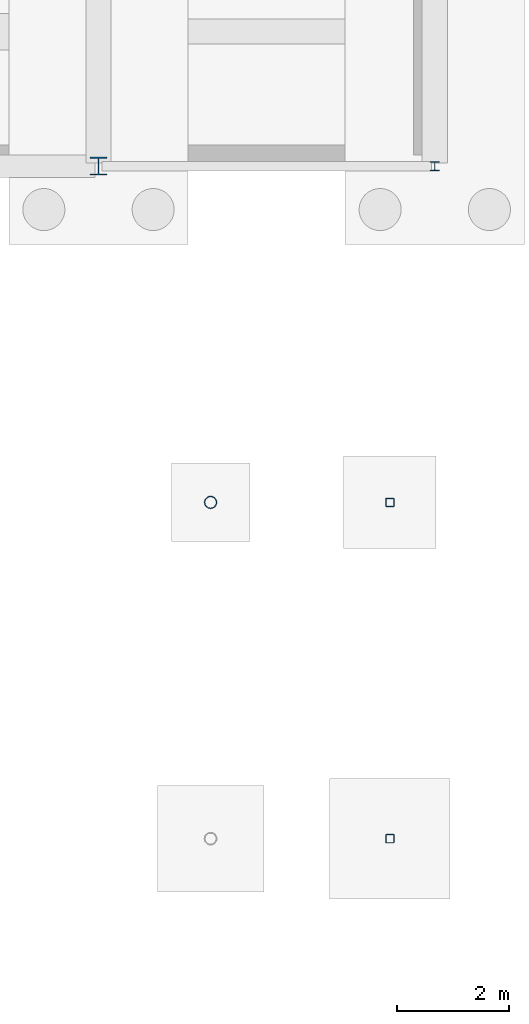
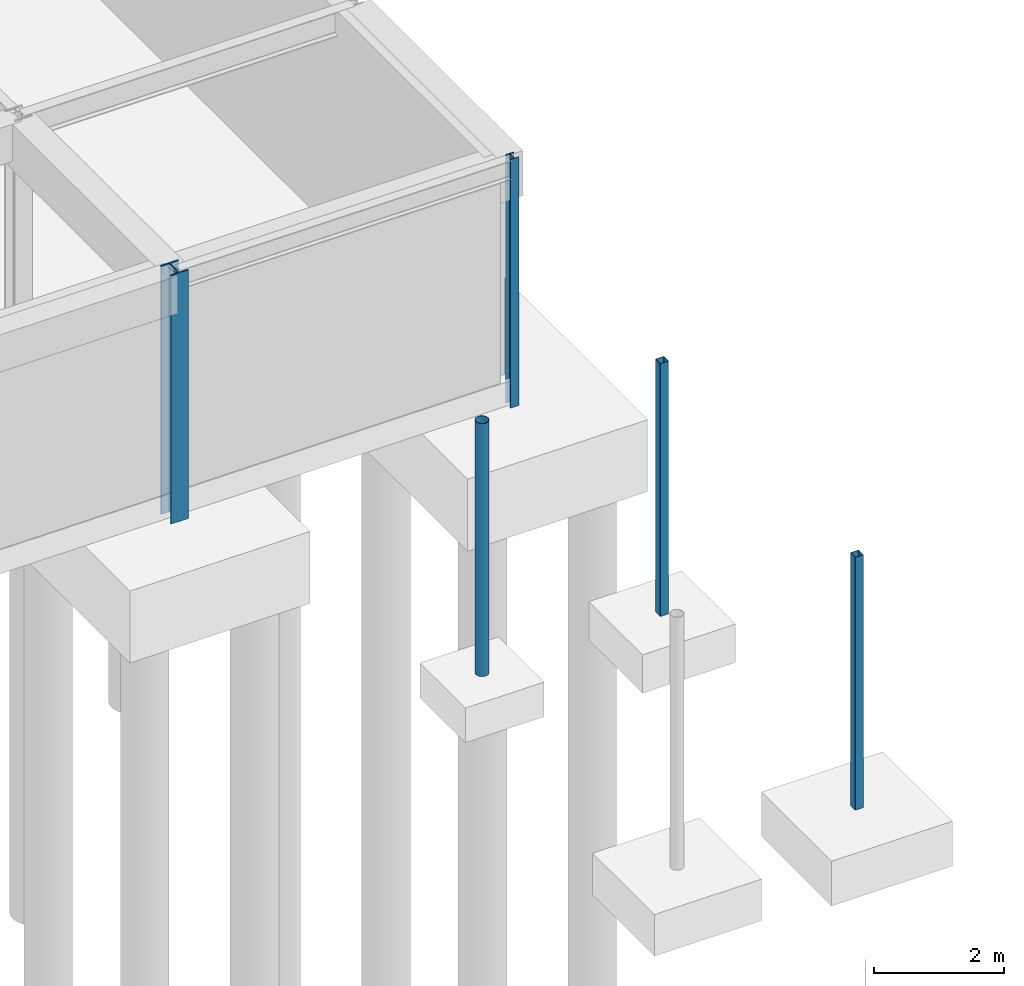
# One storey, part 53 of 75: 5 columns.
"""IFC4 building model written with IfcOpenShell, lengths in metres."""

from ifc_helpers import new_model, si_unit, derived_unit, direction, frame, origin, origin_2d_with_axis, place, context, subcontext, project, spatial, hollow_rectangle, hollow_circle, i_section, extrude, material, material_profile, profile_set, type_object, element, save


model = new_model("IFC4")

# Units and contexts
model_context = context("Model", 3, precision=1e-05, world=origin(), true_north=direction((0.0, 1.0)))
body_context = subcontext(model_context, "Body", "Model", "MODEL_VIEW")
ifc_project = project(units=[si_unit("LENGTHUNIT", "METRE"), si_unit("AREAUNIT", "SQUARE_METRE"), si_unit("VOLUMEUNIT", "CUBIC_METRE"), si_unit("PLANEANGLEUNIT", "RADIAN"), si_unit("MASSUNIT", "GRAM", prefix="KILO"), derived_unit("THERMALTRANSMITTANCEUNIT", [(si_unit("POWERUNIT", "WATT"), 1), (si_unit("LENGTHUNIT", "METRE"), -2), (si_unit("THERMODYNAMICTEMPERATUREUNIT", "KELVIN"), -1)])], contexts=[model_context])

# Site, building, storey
site_placement = place(None, origin())
site = spatial("IfcSite", under=ifc_project, at=site_placement, CompositionType="ELEMENT")
building_placement = place(site_placement, origin())
building = spatial("IfcBuilding", under=site, at=building_placement, Name="Cinnabar Yard Market Hall", CompositionType="ELEMENT")
storey_placement = place(building_placement, frame((0.0, 0.0, -4.5)))
storey = spatial("IfcBuildingStorey", under=building, at=storey_placement, Name="B1", CompositionType="ELEMENT", Elevation=-4.5)

# Columns
ifc_material_1 = material(Name="Spotted-gum glulam-clad steel Grade 350 (350 MPa)", Category="steel")
ifc_material_profile_1 = material_profile(ifc_material_1, hollow_circle(Radius=0.109619140625, WallThickness=0.00830078125, at=origin_2d_with_axis()), Name="219.1x8.2CHS")
ifc_profile_set_1 = profile_set([ifc_material_profile_1], Name="Spotted-gum glulam-clad steel Grade 350 (350 MPa)")
column_type_1 = type_object("IfcColumnType", Name="COL-C05", PredefinedType="COLUMN", material=ifc_profile_set_1)
column_1_placement = place(storey_placement, frame((158.0, 102.0, -0.449951171875), z_axis=(0.0, 0.0, 1.0), x_axis=(1.0, 0.0, 0.0)))
element("IfcColumn", 1, at=column_1_placement, inside=storey, type_object=column_type_1, Name="Passage Pier V5E-A5 B1", PredefinedType="COLUMN", context=body_context, shape_type="SweptSolid", body=[
    extrude(hollow_circle(Radius=0.109619140625, WallThickness=0.00830078125, at=origin_2d_with_axis()), origin(), (0.0, 0.0, 1.0), 4.75),
])
ifc_material_2 = material(Name="Steel Grade 350 (350 MPa)", Category="steel")
ifc_material_profile_2 = material_profile(ifc_material_2, i_section(OverallWidth=0.30908203125, OverallDepth=0.320556640625, WebThickness=0.013916015625, FlangeThickness=0.021728515625, FilletRadius=0.0166015625, at=origin_2d_with_axis()), Name="310UC137")
ifc_profile_set_2 = profile_set([ifc_material_profile_2], Name="Steel Grade 350 (350 MPa)")
column_type_2 = type_object("IfcColumnType", Name="COL-C07", PredefinedType="COLUMN", material=ifc_profile_set_2)
column_2_placement = place(storey_placement, frame((156.0, 108.0, -0.449951171875), z_axis=(0.0, 0.0, 1.0), x_axis=(1.0, 0.0, 0.0)))
element("IfcColumn", 2, at=column_2_placement, inside=storey, type_object=column_type_2, Name="Wing Column V3-10-01 B1", PredefinedType="COLUMN", context=body_context, shape_type="SweptSolid", body=[
    extrude(i_section(OverallWidth=0.30908203125, OverallDepth=0.320556640625, WebThickness=0.013916015625, FlangeThickness=0.021728515625, FilletRadius=0.0166015625, at=origin_2d_with_axis()), origin(), (0.0, 0.0, 1.0), 4.669921875),
])
ifc_material_3 = material(Name="Cold-formed steel C350L0", Category="steel")
ifc_material_profile_3 = material_profile(ifc_material_3, hollow_rectangle(XDim=0.14990234375, YDim=0.14990234375, WallThickness=0.006103515625, InnerFilletRadius=0.006103515625, OuterFilletRadius=0.011962890625, at=origin_2d_with_axis()), Name="150x150x6.0SHS")
ifc_profile_set_3 = profile_set([ifc_material_profile_3], Name="Cold-formed steel C350L0")
column_type_3 = type_object("IfcColumnType", Name="COL-C16", PredefinedType="COLUMN", material=ifc_profile_set_3)
for number, where, z_axis, x_axis, name in (
    (3, (161.199951171875, 96.0, -0.449951171875), (0.0, 0.0, 1.0), (1.0, 0.0, 0.0), "Passage Pier V5E-B4 B1"),
    (4, (161.199951171875, 102.0, -0.449951171875), (0.0, 0.0, 1.0), (1.0, 0.0, 0.0), "Passage Pier V5E-B5 B1"),
):
    element("IfcColumn", number, at=place(storey_placement, frame(where, z_axis=z_axis, x_axis=x_axis)), inside=storey, type_object=column_type_3, Name=name, PredefinedType="COLUMN", context=body_context, shape_type="SweptSolid", body=[
        extrude(hollow_rectangle(XDim=0.14990234375, YDim=0.14990234375, WallThickness=0.006103515625, InnerFilletRadius=0.006103515625, OuterFilletRadius=0.011962890625, at=origin_2d_with_axis()), origin(), (0.0, 0.0, 1.0), 4.75),
    ])
ifc_material_4 = material(Name="Steel Grade 300 (300 MPa)", Category="steel")
ifc_material_profile_4 = material_profile(ifc_material_4, i_section(OverallWidth=0.15283203125, OverallDepth=0.15771484375, WebThickness=0.006591796875, FlangeThickness=0.009521484375, FilletRadius=0.0087890625, at=origin_2d_with_axis()), Name="150UC30.0")
ifc_profile_set_4 = profile_set([ifc_material_profile_4], Name="Steel Grade 300 (300 MPa)")
column_type_4 = type_object("IfcColumnType", Name="COL-C18", PredefinedType="COLUMN", material=ifc_profile_set_4)
column_3_placement = place(storey_placement, frame((162.0, 108.0, -0.449951171875), z_axis=(0.0, 0.0, 1.0), x_axis=(1.0, 0.0, 0.0)))
element("IfcColumn", 5, at=column_3_placement, inside=storey, type_object=column_type_4, Name="Wing Column V3-11-01 B1", PredefinedType="COLUMN", context=body_context, shape_type="SweptSolid", body=[
    extrude(i_section(OverallWidth=0.15283203125, OverallDepth=0.15771484375, WebThickness=0.006591796875, FlangeThickness=0.009521484375, FilletRadius=0.0087890625, at=origin_2d_with_axis()), origin(), (0.0, 0.0, 1.0), 4.669921875),
])

save(model, "model.ifc")
